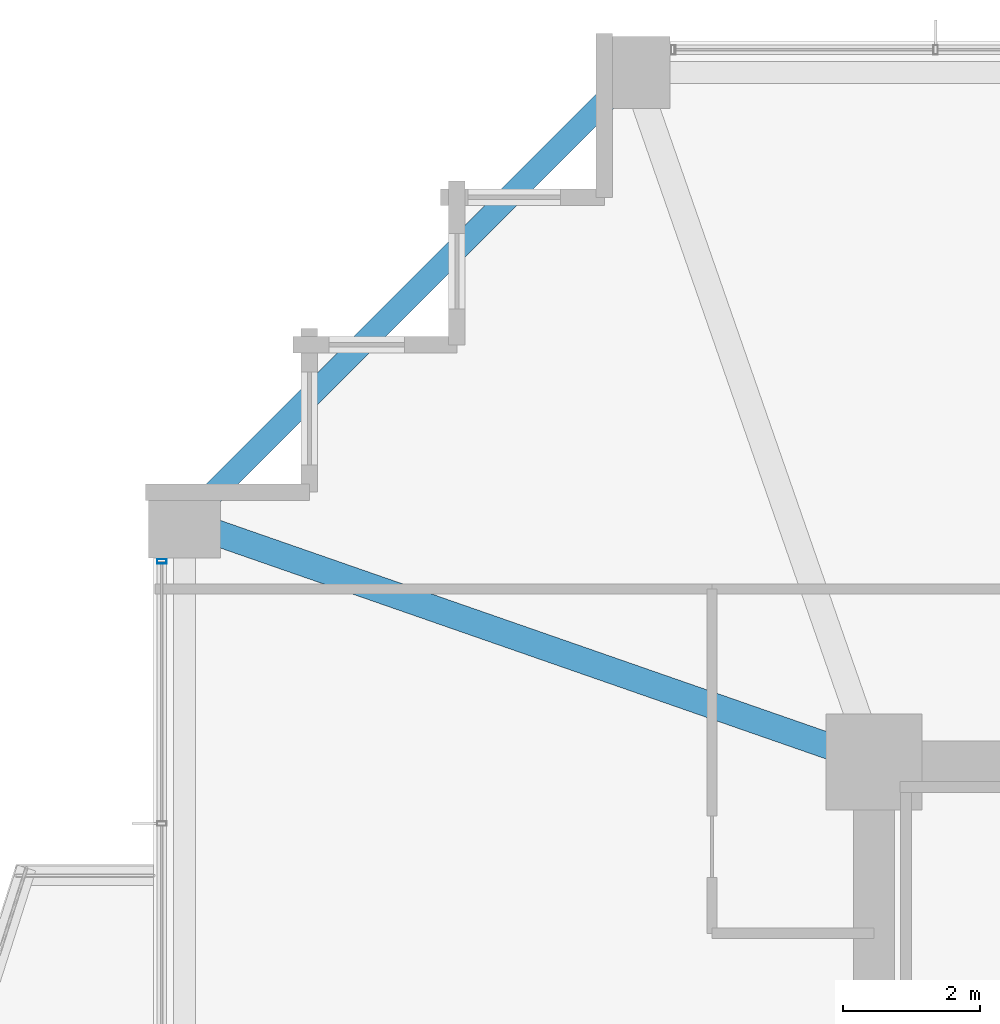
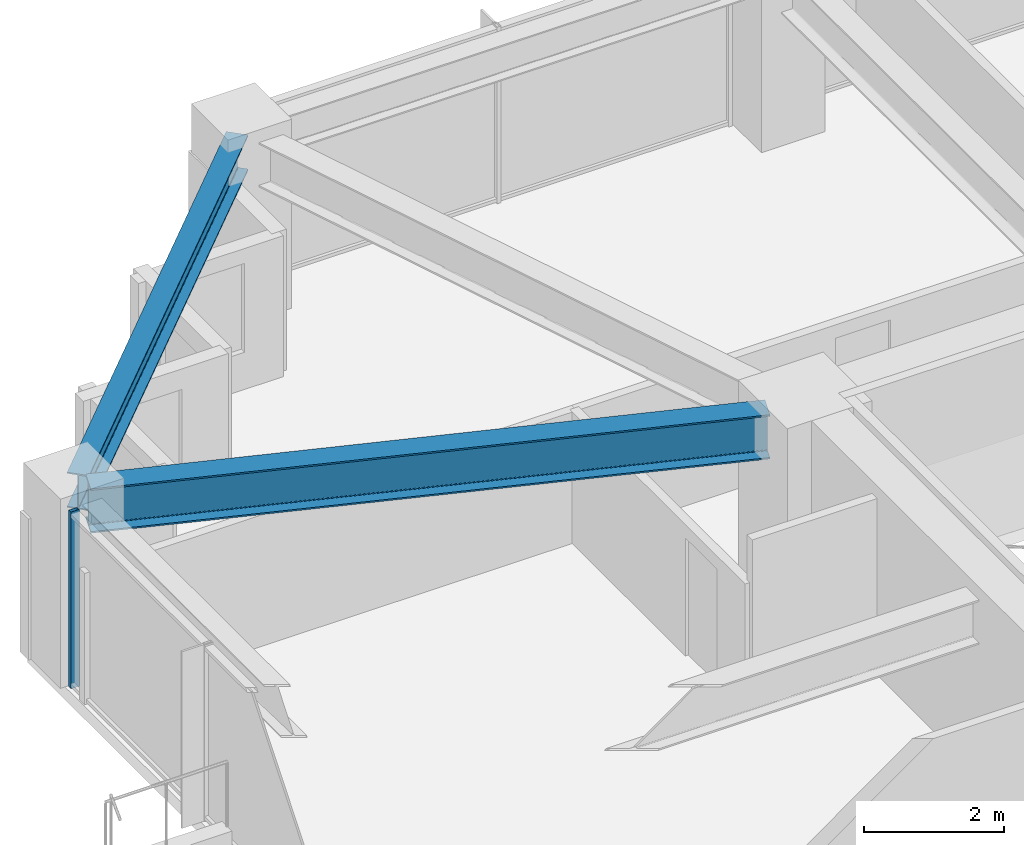
# One storey, part 19 of 36: 2 beams, 1 member, 1 element without a shape of its own.
"""IFC4 building model written with IfcOpenShell, lengths in metres."""

from ifc_helpers import new_model, si_unit, direction, frame, origin, origin_2d, place, context, subcontext, project, spatial, hollow_rectangle, i_section, extrude, material, material_profile, profile_set, type_object, element, aggregate, save


model = new_model("IFC4")

# Units and contexts
model_context = context("Model", 3, precision=1e-05, world=origin(), true_north=direction((0.0, 1.0)))
body_context = subcontext(model_context, "Body", "Model", "MODEL_VIEW")
ifc_project = project(units=[si_unit("LENGTHUNIT", "METRE"), si_unit("AREAUNIT", "SQUARE_METRE"), si_unit("VOLUMEUNIT", "CUBIC_METRE"), si_unit("PLANEANGLEUNIT", "RADIAN"), si_unit("MASSUNIT", "GRAM", prefix="KILO")], contexts=[model_context])

# Site, building, storey
site_placement = place(None, origin())
site = spatial("IfcSite", under=ifc_project, at=site_placement, CompositionType="ELEMENT")
building_placement = place(site_placement, origin())
building = spatial("IfcBuilding", under=site, at=building_placement, Name="Kolvaren Belvedere", CompositionType="ELEMENT")
storey_placement = place(building_placement, frame((0.0, 0.0, 92.0)))
storey = spatial("IfcBuildingStorey", under=building, at=storey_placement, Name="L26", CompositionType="ELEMENT", Elevation=92.0)

# Beams
ifc_material_1 = material(Name="Structural steel ASTM A992 Grade 50", Category="steel")
ifc_material_profile_1 = material_profile(ifc_material_1, i_section(OverallWidth=0.381103515625, OverallDepth=0.77294921875, WebThickness=0.0166015625, FlangeThickness=0.027099609375, FilletRadius=0.02392578125, at=origin_2d()), Name="W30X173")
ifc_profile_set_1 = profile_set([ifc_material_profile_1], Name="Structural steel ASTM A992 Grade 50")
beam_type_1 = type_object("IfcBeamType", Name="BM-GIRD-W30X173", PredefinedType="BEAM", material=ifc_profile_set_1)
beam_1_placement = place(storey_placement, frame((-10.41943359375, 10.080810546875, 2.693603515625), z_axis=(-0.944371408538, 0.328880894453, 0.0), x_axis=(-0.328880894453, -0.944371408538, 0.0)))
element("IfcBeam", 1, at=beam_1_placement, inside=storey, type_object=beam_type_1, Name="L26 Corner Core-to-Perimeter Girder CC4-W4", PredefinedType="BEAM", context=body_context, shape_type="SweptSolid", body=[
    extrude(i_section(OverallWidth=0.381103515625, OverallDepth=0.77294921875, WebThickness=0.0166015625, FlangeThickness=0.027099609375, FilletRadius=0.02392578125, at=origin_2d()), origin(), (0.0, 0.0, 1.0), 9.882080078125),
])
ifc_material_2 = material(Name="Structural steel ASTM A992 Grade 50", Category="steel")
ifc_material_profile_2 = material_profile(ifc_material_2, i_section(OverallWidth=0.324951171875, OverallDepth=0.615966796875, WebThickness=0.013916015625, FlangeThickness=0.021484375, FilletRadius=0.02001953125, at=origin_2d()), Name="W24X117")
ifc_profile_set_2 = profile_set([ifc_material_profile_2], Name="Structural steel ASTM A992 Grade 50")
beam_type_2 = type_object("IfcBeamType", Name="BM-SPAN-W24X117", PredefinedType="SPANDREL", material=ifc_profile_set_2)
beam_2_placement = place(storey_placement, frame((-13.567138671875, 19.782958984375, 2.77197265625), z_axis=(-0.707106781187, -0.707106781187, 0.0), x_axis=(0.707106781187, -0.707106781187, 0.0)))
element("IfcBeam", 2, at=beam_2_placement, inside=storey, type_object=beam_type_2, Name="L26 Perimeter Spandrel N1-W4", PredefinedType="SPANDREL", context=body_context, shape_type="SweptSolid", body=[
    extrude(i_section(OverallWidth=0.324951171875, OverallDepth=0.615966796875, WebThickness=0.013916015625, FlangeThickness=0.021484375, FilletRadius=0.02001953125, at=origin_2d()), origin(), (0.0, 0.0, 1.0), 8.79052734375),
])

# Curtain wall, member
ifc_material_3 = material(Name="Anodised pale-metal aluminium AA 6063-T6", Category="aluminium")
curtain_wall_type = type_object("IfcCurtainWallType", Name="CW-Z2-MID", PredefinedType="NOTDEFINED", material=ifc_material_3)
curtain_wall_placement = place(storey_placement, origin())
curtain_wall = element("IfcCurtainWall", 3, at=curtain_wall_placement, inside=storey, type_object=curtain_wall_type, Name="L26 Unitised Curtain Wall FCW-L26-W2-B2", PredefinedType="NOTDEFINED")
ifc_material_4 = material(Name="Anodised pale-metal aluminium AA 6063-T6", Category="aluminium")
ifc_material_profile_3 = material_profile(ifc_material_4, hollow_rectangle(XDim=0.06494140625, YDim=0.139892578125, WallThickness=0.00390625, at=origin_2d()), Name="ALU-MUL-140X65")
ifc_profile_set_3 = profile_set([ifc_material_profile_3], Name="Anodised pale-metal aluminium AA 6063-T6")
member_type = type_object("IfcMemberType", Name="CW-MUL-140", PredefinedType="MULLION", material=ifc_profile_set_3)
member_placement = place(storey_placement, frame((-20.280029296875, 12.822509765625, 0.0), z_axis=(0.0, 0.0, 1.0), x_axis=(0.0, 1.0, 0.0)))
member = element("IfcMember", 4, at=member_placement, type_object=member_type, Name="FCW-L26-W2-B2 Unitised Mullion 3", PredefinedType="MULLION", context=body_context, shape_type="SweptSolid", body=[
    extrude(hollow_rectangle(XDim=0.06494140625, YDim=0.139892578125, WallThickness=0.00390625, at=origin_2d()), origin(), (0.0, 0.0, 1.0), 3.080078125),
])
aggregate(curtain_wall, [member])

save(model, "model.ifc")
